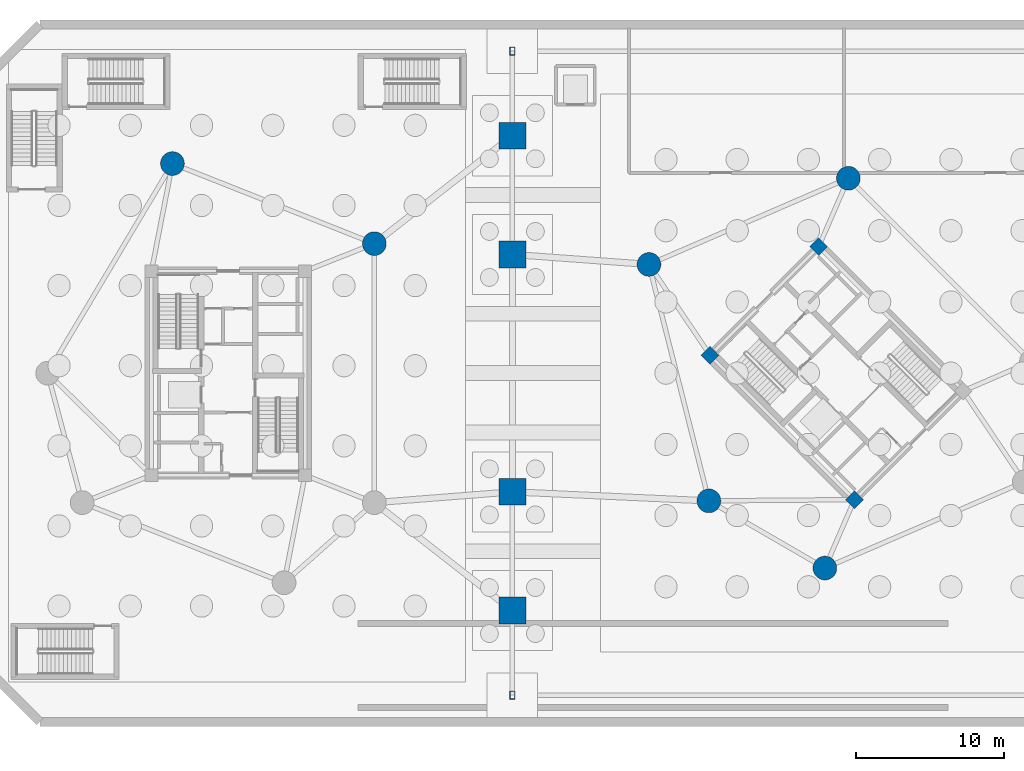
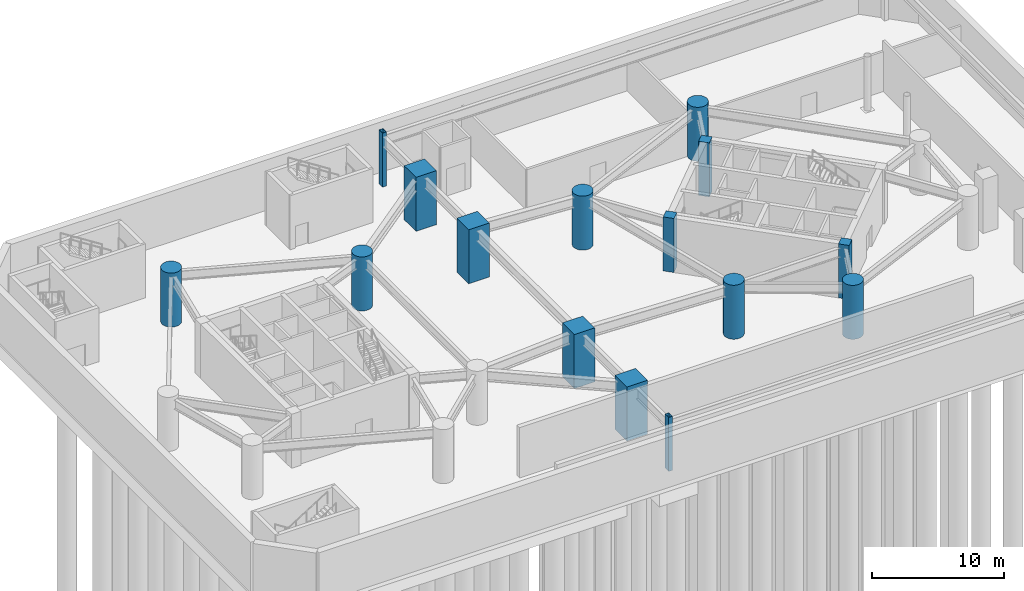
# One storey, part 2 of 15: 15 columns.
"""IFC4 building model written with IfcOpenShell, lengths in metres."""

from ifc_helpers import new_model, si_unit, direction, frame, origin, origin_2d, place, context, subcontext, project, spatial, rectangle, hollow_rectangle, circle, extrude, material, material_profile, profile_set, type_object, element, save


model = new_model("IFC4")

# Units and contexts
model_context = context("Model", 3, precision=1e-05, world=origin(), true_north=direction((0.0, 1.0)))
body_context = subcontext(model_context, "Body", "Model", "MODEL_VIEW")
ifc_project = project(units=[si_unit("LENGTHUNIT", "METRE"), si_unit("AREAUNIT", "SQUARE_METRE"), si_unit("VOLUMEUNIT", "CUBIC_METRE"), si_unit("PLANEANGLEUNIT", "RADIAN"), si_unit("MASSUNIT", "GRAM", prefix="KILO")], contexts=[model_context])

# Site, building, storey
site_placement = place(None, origin())
site = spatial("IfcSite", under=ifc_project, at=site_placement, CompositionType="ELEMENT")
building_placement = place(site_placement, origin())
building = spatial("IfcBuilding", under=site, at=building_placement, Name="Cununo Teusaquillo Station Towers", CompositionType="ELEMENT")
storey_placement = place(building_placement, frame((0.0, 0.0, -10.0)))
storey = spatial("IfcBuildingStorey", under=building, at=storey_placement, Name="B02", CompositionType="ELEMENT", Elevation=-10.0)

# Columns
ifc_material_1 = material(Name="Concrete C50/60", Category="concrete")
ifc_material_profile_1 = material_profile(ifc_material_1, rectangle(XDim=0.85009765625, YDim=0.85009765625, at=origin_2d()), Name="RC-RECT-850x850")
ifc_profile_set_1 = profile_set([ifc_material_profile_1], Name="Concrete C50/60")
column_type_1 = type_object("IfcColumnType", Name="COL-CORE-Z1", PredefinedType="COLUMN", material=ifc_profile_set_1)
for number, where, z_axis, x_axis, name in (
    (1, (58.70556640625, 15.975830078125, 0.0), (0.0, 0.0, 1.0), (0.707106781187, 0.707106781187, 0.0), "B02 Tower B Core Column 1"),
    (2, (48.975830078125, 25.70556640625, 0.0), (0.0, 0.0, 1.0), (0.707106781187, 0.707106781187, 0.0), "B02 Tower B Core Column 2"),
    (3, (56.29443359375, 33.024169921875, 0.0), (0.0, 0.0, 1.0), (0.707106781187, 0.707106781187, 0.0), "B02 Tower B Core Column 4"),
):
    element("IfcColumn", number, at=place(storey_placement, frame(where, z_axis=z_axis, x_axis=x_axis)), inside=storey, type_object=column_type_1, Name=name, PredefinedType="COLUMN", context=body_context, shape_type="SweptSolid", body=[
        extrude(rectangle(XDim=0.85009765625, YDim=0.85009765625, at=origin_2d()), origin(), (0.0, 0.0, 1.0), 5.0),
    ])
ifc_material_2 = material(Name="Concrete C60/75", Category="concrete")
ifc_material_profile_2 = material_profile(ifc_material_2, circle(Radius=0.800048828125, at=origin_2d()), Name="RC-CIRC-1600")
ifc_profile_set_2 = profile_set([ifc_material_profile_2], Name="Concrete C60/75")
column_type_2 = type_object("IfcColumnType", Name="COL-MEGA-POD", PredefinedType="USERDEFINED", material=ifc_profile_set_2)
for number, where, z_axis, x_axis, name in (
    (4, (26.347412109375, 33.228515625, 0.0), (0.0, 0.0, 1.0), (1.0, 0.0, 0.0), "B02 Tower A Perimeter Column V02"),
    (5, (12.738525390625, 38.623291015625, 0.0), (0.0, 0.0, 1.0), (1.0, 0.0, 0.0), "B02 Tower A Perimeter Column V06"),
    (6, (58.291015625, 37.63525390625, 0.0), (0.0, 0.0, 1.0), (1.0, 0.0, 0.0), "B02 Tower B Perimeter Column V02"),
    (7, (44.853759765625, 31.826904296875, 0.0), (0.0, 0.0, 1.0), (1.0, 0.0, 0.0), "B02 Tower B Perimeter Column V06"),
    (8, (48.89306640625, 15.89306640625, 0.0), (0.0, 0.0, 1.0), (1.0, 0.0, 0.0), "B02 Tower B Perimeter Column V10"),
    (9, (56.708984375, 11.36474609375, 0.0), (0.0, 0.0, 1.0), (1.0, 0.0, 0.0), "B02 Tower B Perimeter Column V12"),
):
    element("IfcColumn", number, at=place(storey_placement, frame(where, z_axis=z_axis, x_axis=x_axis)), inside=storey, type_object=column_type_2, Name=name, ObjectType="MEGA COLUMN", PredefinedType="USERDEFINED", context=body_context, shape_type="SweptSolid", body=[
        extrude(circle(Radius=0.800048828125, at=origin_2d()), origin(), (0.0, 0.0, 1.0), 5.0),
    ])
ifc_material_3 = material(Name="Steel ASTM A572 Grade 50", Category="steel")
ifc_material_profile_3 = material_profile(ifc_material_3, hollow_rectangle(XDim=0.35009765625, YDim=0.550048828125, WallThickness=0.02197265625, at=origin_2d()), Name="RHS 550x350x22")
ifc_profile_set_3 = profile_set([ifc_material_profile_3], Name="Steel ASTM A572 Grade 50")
column_type_3 = type_object("IfcColumnType", Name="COL-PILASTER", PredefinedType="PILASTER", material=ifc_profile_set_3)
for number, where, z_axis, x_axis, name in (
    (10, (35.64990234375, 46.199951171875, 0.0), (0.0, 0.0, 1.0), (1.0, 0.0, 0.0), "B02 Station Hall Pilaster PIL-NW"),
    (11, (35.64990234375, 2.800048828125, 0.0), (0.0, 0.0, 1.0), (1.0, 0.0, 0.0), "B02 Station Hall Pilaster PIL-SW"),
):
    element("IfcColumn", number, at=place(storey_placement, frame(where, z_axis=z_axis, x_axis=x_axis)), inside=storey, type_object=column_type_3, Name=name, PredefinedType="PILASTER", context=body_context, shape_type="SweptSolid", body=[
        extrude(hollow_rectangle(XDim=0.35009765625, YDim=0.550048828125, WallThickness=0.02197265625, at=origin_2d()), origin(), (0.0, 0.0, 1.0), 5.0),
    ])
ifc_material_4 = material(Name="Concrete C60/75", Category="concrete")
ifc_material_profile_4 = material_profile(ifc_material_4, rectangle(XDim=1.800048828125, YDim=1.800048828125, at=origin_2d()), Name="RC-RECT-1800x1800")
ifc_profile_set_4 = profile_set([ifc_material_profile_4], Name="Concrete C60/75")
column_type_4 = type_object("IfcColumnType", Name="COL-POD-MEGA", PredefinedType="USERDEFINED", material=ifc_profile_set_4)
for number, where, z_axis, x_axis, name in (
    (12, (35.64990234375, 8.5, 0.0), (0.0, 0.0, 1.0), (1.0, 0.0, 0.0), "B02 Station Mega-Column PMC-S"),
    (13, (35.64990234375, 16.5, 0.0), (0.0, 0.0, 1.0), (1.0, 0.0, 0.0), "B02 Station Mega-Column PMC-M1"),
    (14, (35.64990234375, 32.5, 0.0), (0.0, 0.0, 1.0), (1.0, 0.0, 0.0), "B02 Station Mega-Column PMC-M2"),
    (15, (35.64990234375, 40.5, 0.0), (0.0, 0.0, 1.0), (1.0, 0.0, 0.0), "B02 Station Mega-Column PMC-N"),
):
    element("IfcColumn", number, at=place(storey_placement, frame(where, z_axis=z_axis, x_axis=x_axis)), inside=storey, type_object=column_type_4, Name=name, ObjectType="MEGA COLUMN", PredefinedType="USERDEFINED", context=body_context, shape_type="SweptSolid", body=[
        extrude(rectangle(XDim=1.800048828125, YDim=1.800048828125, at=origin_2d()), origin(), (0.0, 0.0, 1.0), 5.0),
    ])

save(model, "model.ifc")
